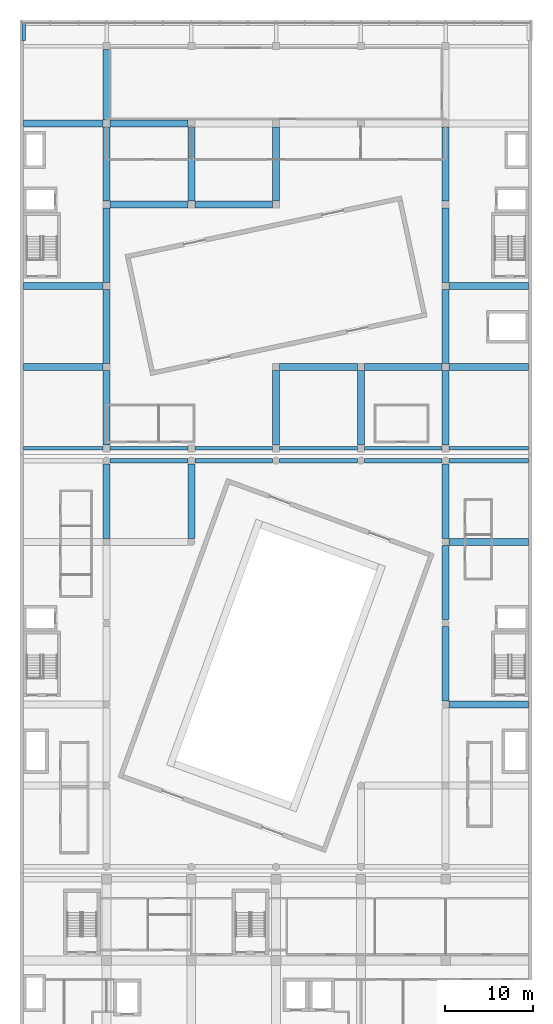
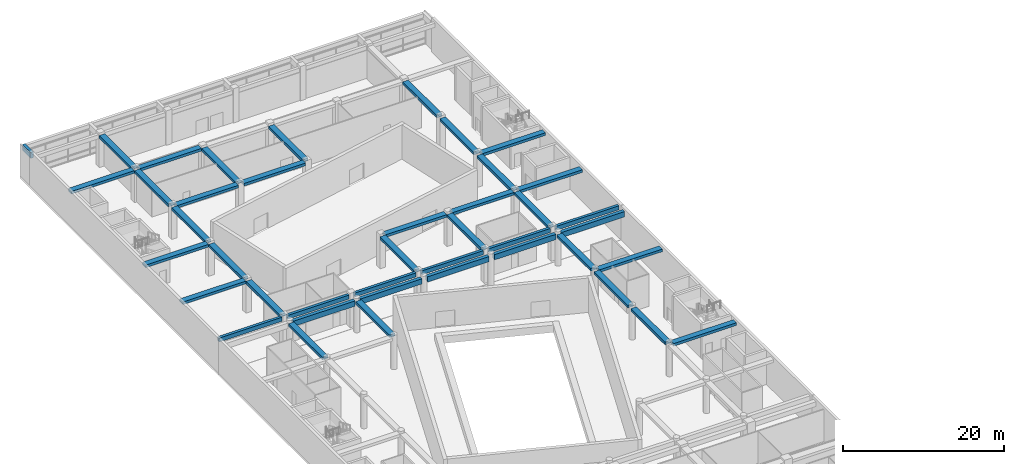
# One storey, part 2 of 31: 42 beams.
"""IFC4 building model written with IfcOpenShell, lengths in metres."""

from ifc_helpers import new_model, si_unit, direction, frame, origin, origin_2d, place, context, subcontext, project, spatial, rectangle, extrude, material, material_profile, profile_set, type_object, element, save


model = new_model("IFC4")

# Units and contexts
model_context = context("Model", 3, precision=1e-05, world=origin(), true_north=direction((0.0, 1.0)))
body_context = subcontext(model_context, "Body", "Model", "MODEL_VIEW")
ifc_project = project(units=[si_unit("LENGTHUNIT", "METRE"), si_unit("AREAUNIT", "SQUARE_METRE"), si_unit("VOLUMEUNIT", "CUBIC_METRE"), si_unit("PLANEANGLEUNIT", "RADIAN"), si_unit("MASSUNIT", "GRAM", prefix="KILO")], contexts=[model_context])

# Site, building, storey
site_placement = place(None, origin())
site = spatial("IfcSite", under=ifc_project, at=site_placement, CompositionType="ELEMENT")
building_placement = place(site_placement, origin())
building = spatial("IfcBuilding", under=site, at=building_placement, Name="Nzadi Deep Aquarium and Research Tower", CompositionType="ELEMENT")
storey_placement = place(building_placement, frame((0.0, 0.0, 26.699951171875)))
storey = spatial("IfcBuildingStorey", under=building, at=storey_placement, Name="L04", CompositionType="ELEMENT", Elevation=26.699951171875)

# Beams
ifc_material_1 = material(Name="Concrete C35/45", Category="concrete")
ifc_material_profile_1 = material_profile(ifc_material_1, rectangle(XDim=0.39990234375, YDim=0.60009765625, at=origin_2d()))
ifc_profile_set_1 = profile_set([ifc_material_profile_1], Name="Concrete C35/45")
beam_type_1 = type_object("IfcBeamType", Name="RC 400x600", PredefinedType="BEAM", material=ifc_profile_set_1)
beam_1_placement = place(storey_placement, frame((0.199951171875, 94.800048828125, 4.550048828125), z_axis=(1.0, 0.0, 0.0), x_axis=(0.0, 1.0, 0.0)))
element("IfcBeam", 1, at=beam_1_placement, inside=storey, type_object=beam_type_1, Name="B-Z3-L04-L13-1", PredefinedType="BEAM", context=body_context, shape_type="SweptSolid", body=[
    extrude(rectangle(XDim=0.39990234375, YDim=0.60009765625, at=origin_2d()), origin(), (0.0, 0.0, 1.0), 9.0),
])
beam_2_placement = place(storey_placement, frame((10.0, 94.800048828125, 4.550048828125), z_axis=(1.0, 0.0, 0.0), x_axis=(0.0, 1.0, 0.0)))
element("IfcBeam", 2, at=beam_2_placement, inside=storey, type_object=beam_type_1, Name="B-Z3-L04-L13-2", PredefinedType="BEAM", context=body_context, shape_type="SweptSolid", body=[
    extrude(rectangle(XDim=0.39990234375, YDim=0.60009765625, at=origin_2d()), origin(), (0.0, 0.0, 1.0), 8.800048828125),
])
beam_3_placement = place(storey_placement, frame((19.60009765625, 94.800048828125, 4.550048828125), z_axis=(1.0, 0.0, 0.0), x_axis=(0.0, 1.0, 0.0)))
element("IfcBeam", 3, at=beam_3_placement, inside=storey, type_object=beam_type_1, Name="B-Z3-L04-L13-3", PredefinedType="BEAM", context=body_context, shape_type="SweptSolid", body=[
    extrude(rectangle(XDim=0.39990234375, YDim=0.60009765625, at=origin_2d()), origin(), (0.0, 0.0, 1.0), 8.7998046875),
])
for number, where, z_axis, x_axis, name in (
    (4, (29.199951171875, 94.800048828125, 4.550048828125), (1.0, 0.0, 0.0), (0.0, 1.0, 0.0), "B-Z3-L04-L13-4"),
    (5, (38.800048828125, 94.800048828125, 4.550048828125), (1.0, 0.0, 0.0), (0.0, 1.0, 0.0), "B-Z3-L04-L13-5"),
):
    element("IfcBeam", number, at=place(storey_placement, frame(where, z_axis=z_axis, x_axis=x_axis)), inside=storey, type_object=beam_type_1, Name=name, PredefinedType="BEAM", context=body_context, shape_type="SweptSolid", body=[
        extrude(rectangle(XDim=0.39990234375, YDim=0.60009765625, at=origin_2d()), origin(), (0.0, 0.0, 1.0), 8.800048828125),
    ])
beam_4_placement = place(storey_placement, frame((48.39990234375, 94.800048828125, 4.550048828125), z_axis=(1.0, 0.0, 0.0), x_axis=(0.0, 1.0, 0.0)))
element("IfcBeam", 6, at=beam_4_placement, inside=storey, type_object=beam_type_1, Name="B-Z3-L04-L13-6", PredefinedType="BEAM", context=body_context, shape_type="SweptSolid", body=[
    extrude(rectangle(XDim=0.39990234375, YDim=0.60009765625, at=origin_2d()), origin(), (0.0, 0.0, 1.0), 9.0),
])
ifc_material_2 = material(Name="Concrete C35/45", Category="concrete")
ifc_material_profile_2 = material_profile(ifc_material_2, rectangle(XDim=0.39990234375, YDim=0.89990234375, at=origin_2d()))
ifc_profile_set_2 = profile_set([ifc_material_profile_2], Name="Concrete C35/45")
beam_type_2 = type_object("IfcBeamType", Name="RC 400x900", PredefinedType="BEAM", material=ifc_profile_set_2)
beam_5_placement = place(storey_placement, frame((0.199951171875, 141.0, 4.400146484375), z_axis=(0.0, 1.0, 0.0), x_axis=(-1.0, 0.0, 0.0)))
element("IfcBeam", 7, at=beam_5_placement, inside=storey, type_object=beam_type_2, Name="B-Z3-L05-CB1", PredefinedType="BEAM", context=body_context, shape_type="SweptSolid", body=[
    extrude(rectangle(XDim=0.39990234375, YDim=0.89990234375, at=origin_2d()), origin(), (0.0, 0.0, 1.0), 2.050048828125),
])
ifc_material_3 = material(Name="Concrete C40/50", Category="concrete")
ifc_material_profile_3 = material_profile(ifc_material_3, rectangle(XDim=0.5, YDim=0.800048828125, at=origin_2d()))
ifc_profile_set_3 = profile_set([ifc_material_profile_3], Name="Concrete C40/50")
beam_type_3 = type_object("IfcBeamType", Name="RC 500x800", PredefinedType="BEAM", material=ifc_profile_set_3)
beam_6_placement = place(storey_placement, frame((10.0, 93.39990234375, 4.449951171875), z_axis=(1.0, 0.0, 0.0), x_axis=(0.0, 1.0, 0.0)))
element("IfcBeam", 8, at=beam_6_placement, inside=storey, type_object=beam_type_3, Name="B-Z2-L04-L12-2", PredefinedType="BEAM", context=body_context, shape_type="SweptSolid", body=[
    extrude(rectangle(XDim=0.5, YDim=0.800048828125, at=origin_2d()), origin(), (0.0, 0.0, 1.0), 8.800048828125),
])
beam_7_placement = place(storey_placement, frame((19.60009765625, 93.39990234375, 4.449951171875), z_axis=(1.0, 0.0, 0.0), x_axis=(0.0, 1.0, 0.0)))
element("IfcBeam", 9, at=beam_7_placement, inside=storey, type_object=beam_type_3, Name="B-Z2-L04-L12-3", PredefinedType="BEAM", context=body_context, shape_type="SweptSolid", body=[
    extrude(rectangle(XDim=0.5, YDim=0.800048828125, at=origin_2d()), origin(), (0.0, 0.0, 1.0), 8.7998046875),
])
for number, where, z_axis, x_axis, name in (
    (10, (29.199951171875, 93.39990234375, 4.449951171875), (1.0, 0.0, 0.0), (0.0, 1.0, 0.0), "B-Z2-L04-L12-4"),
    (11, (38.800048828125, 93.39990234375, 4.449951171875), (1.0, 0.0, 0.0), (0.0, 1.0, 0.0), "B-Z2-L04-L12-5"),
):
    element("IfcBeam", number, at=place(storey_placement, frame(where, z_axis=z_axis, x_axis=x_axis)), inside=storey, type_object=beam_type_3, Name=name, PredefinedType="BEAM", context=body_context, shape_type="SweptSolid", body=[
        extrude(rectangle(XDim=0.5, YDim=0.800048828125, at=origin_2d()), origin(), (0.0, 0.0, 1.0), 8.800048828125),
    ])
beam_8_placement = place(storey_placement, frame((48.39990234375, 93.39990234375, 4.449951171875), z_axis=(1.0, 0.0, 0.0), x_axis=(0.0, 1.0, 0.0)))
element("IfcBeam", 12, at=beam_8_placement, inside=storey, type_object=beam_type_3, Name="B-Z2-L04-L12-6", PredefinedType="BEAM", context=body_context, shape_type="SweptSolid", body=[
    extrude(rectangle(XDim=0.5, YDim=0.800048828125, at=origin_2d()), origin(), (0.0, 0.0, 1.0), 9.0),
])
ifc_material_4 = material(Name="Concrete C35/45", Category="concrete")
ifc_material_profile_4 = material_profile(ifc_material_4, rectangle(XDim=0.800048828125, YDim=0.39990234375, at=origin_2d()))
ifc_profile_set_4 = profile_set([ifc_material_profile_4], Name="Concrete C35/45")
beam_type_4 = type_object("IfcBeamType", Name="RC 800x400", PredefinedType="BEAM", material=ifc_profile_set_4)
for number, where, z_axis, x_axis, name in (
    (13, (48.39990234375, 65.800048828125, 4.650146484375), (1.0, 0.0, 0.0), (0.0, 1.0, 0.0), "B-Z2-L04-L9-6"),
    (14, (48.39990234375, 84.199951171875, 4.650146484375), (1.0, 0.0, 0.0), (0.0, 1.0, 0.0), "B-Z2-L04-L11-6"),
    (15, (0.199951171875, 104.0, 4.650146484375), (1.0, 0.0, 0.0), (0.0, 1.0, 0.0), "B-Z3-L04-L14-1"),
):
    element("IfcBeam", number, at=place(storey_placement, frame(where, z_axis=z_axis, x_axis=x_axis)), inside=storey, type_object=beam_type_4, Name=name, PredefinedType="BEAM", context=body_context, shape_type="SweptSolid", body=[
        extrude(rectangle(XDim=0.800048828125, YDim=0.39990234375, at=origin_2d()), origin(), (0.0, 0.0, 1.0), 9.0),
    ])
for number, where, z_axis, x_axis, name in (
    (16, (29.199951171875, 104.0, 4.650146484375), (1.0, 0.0, 0.0), (0.0, 1.0, 0.0), "B-Z3-L04-L14-4"),
    (17, (38.800048828125, 104.0, 4.650146484375), (1.0, 0.0, 0.0), (0.0, 1.0, 0.0), "B-Z3-L04-L14-5"),
):
    element("IfcBeam", number, at=place(storey_placement, frame(where, z_axis=z_axis, x_axis=x_axis)), inside=storey, type_object=beam_type_4, Name=name, PredefinedType="BEAM", context=body_context, shape_type="SweptSolid", body=[
        extrude(rectangle(XDim=0.800048828125, YDim=0.39990234375, at=origin_2d()), origin(), (0.0, 0.0, 1.0), 8.800048828125),
    ])
for number, where, z_axis, x_axis, name in (
    (18, (48.39990234375, 104.0, 4.650146484375), (1.0, 0.0, 0.0), (0.0, 1.0, 0.0), "B-Z3-L04-L14-6"),
    (19, (0.199951171875, 113.199951171875, 4.650146484375), (1.0, 0.0, 0.0), (0.0, 1.0, 0.0), "B-Z3-L04-L15-1"),
    (20, (48.39990234375, 113.199951171875, 4.650146484375), (1.0, 0.0, 0.0), (0.0, 1.0, 0.0), "B-Z3-L04-L15-6"),
):
    element("IfcBeam", number, at=place(storey_placement, frame(where, z_axis=z_axis, x_axis=x_axis)), inside=storey, type_object=beam_type_4, Name=name, PredefinedType="BEAM", context=body_context, shape_type="SweptSolid", body=[
        extrude(rectangle(XDim=0.800048828125, YDim=0.39990234375, at=origin_2d()), origin(), (0.0, 0.0, 1.0), 9.0),
    ])
beam_9_placement = place(storey_placement, frame((10.0, 122.39990234375, 4.650146484375), z_axis=(1.0, 0.0, 0.0), x_axis=(0.0, 1.0, 0.0)))
element("IfcBeam", 21, at=beam_9_placement, inside=storey, type_object=beam_type_4, Name="B-Z3-L04-L16-2", PredefinedType="BEAM", context=body_context, shape_type="SweptSolid", body=[
    extrude(rectangle(XDim=0.800048828125, YDim=0.39990234375, at=origin_2d()), origin(), (0.0, 0.0, 1.0), 8.800048828125),
])
beam_10_placement = place(storey_placement, frame((19.60009765625, 122.39990234375, 4.650146484375), z_axis=(1.0, 0.0, 0.0), x_axis=(0.0, 1.0, 0.0)))
element("IfcBeam", 22, at=beam_10_placement, inside=storey, type_object=beam_type_4, Name="B-Z3-L04-L16-3", PredefinedType="BEAM", context=body_context, shape_type="SweptSolid", body=[
    extrude(rectangle(XDim=0.800048828125, YDim=0.39990234375, at=origin_2d()), origin(), (0.0, 0.0, 1.0), 8.7998046875),
])
beam_11_placement = place(storey_placement, frame((0.199951171875, 131.60009765625, 4.650146484375), z_axis=(1.0, 0.0, 0.0), x_axis=(0.0, 1.0, 0.0)))
element("IfcBeam", 23, at=beam_11_placement, inside=storey, type_object=beam_type_4, Name="B-Z3-L04-L17-1", PredefinedType="BEAM", context=body_context, shape_type="SweptSolid", body=[
    extrude(rectangle(XDim=0.800048828125, YDim=0.39990234375, at=origin_2d()), origin(), (0.0, 0.0, 1.0), 9.0),
])
beam_12_placement = place(storey_placement, frame((10.0, 131.60009765625, 4.650146484375), z_axis=(1.0, 0.0, 0.0), x_axis=(0.0, 1.0, 0.0)))
element("IfcBeam", 24, at=beam_12_placement, inside=storey, type_object=beam_type_4, Name="B-Z3-L04-L17-2", PredefinedType="BEAM", context=body_context, shape_type="SweptSolid", body=[
    extrude(rectangle(XDim=0.800048828125, YDim=0.39990234375, at=origin_2d()), origin(), (0.0, 0.0, 1.0), 8.800048828125),
])
for number, where, z_axis, x_axis, name in (
    (25, (9.60009765625, 84.60009765625, 4.650146484375), (0.0, 1.0, 0.0), (-1.0, 0.0, 0.0), "B-Z2-L04-CB-5-7"),
    (26, (19.199951171875, 84.60009765625, 4.650146484375), (0.0, 1.0, 0.0), (-1.0, 0.0, 0.0), "B-Z2-L04-CC-5-7"),
):
    element("IfcBeam", number, at=place(storey_placement, frame(where, z_axis=z_axis, x_axis=x_axis)), inside=storey, type_object=beam_type_4, Name=name, PredefinedType="BEAM", context=body_context, shape_type="SweptSolid", body=[
        extrude(rectangle(XDim=0.800048828125, YDim=0.39990234375, at=origin_2d()), origin(), (0.0, 0.0, 1.0), 8.39990234375),
    ])
for number, where, z_axis, x_axis, name in (
    (27, (48.0, 66.199951171875, 4.650146484375), (0.0, 1.0, 0.0), (-1.0, 0.0, 0.0), "B-Z2-L04-CF-3-7"),
    (28, (48.0, 75.39990234375, 4.650146484375), (0.0, 1.0, 0.0), (-1.0, 0.0, 0.0), "B-Z2-L04-CF-4-7"),
):
    element("IfcBeam", number, at=place(storey_placement, frame(where, z_axis=z_axis, x_axis=x_axis)), inside=storey, type_object=beam_type_4, Name=name, PredefinedType="BEAM", context=body_context, shape_type="SweptSolid", body=[
        extrude(rectangle(XDim=0.800048828125, YDim=0.39990234375, at=origin_2d()), origin(), (0.0, 0.0, 1.0), 8.400146484375),
    ])
beam_13_placement = place(storey_placement, frame((48.0, 84.60009765625, 4.650146484375), z_axis=(0.0, 1.0, 0.0), x_axis=(-1.0, 0.0, 0.0)))
element("IfcBeam", 29, at=beam_13_placement, inside=storey, type_object=beam_type_4, Name="B-Z2-L04-CF-5-7", PredefinedType="BEAM", context=body_context, shape_type="SweptSolid", body=[
    extrude(rectangle(XDim=0.800048828125, YDim=0.39990234375, at=origin_2d()), origin(), (0.0, 0.0, 1.0), 8.39990234375),
])
for number, where, z_axis, x_axis, name in (
    (30, (9.60009765625, 95.199951171875, 4.650146484375), (0.0, 1.0, 0.0), (-1.0, 0.0, 0.0), "B-Z3-L04-CB-1-13"),
    (31, (9.60009765625, 104.39990234375, 4.650146484375), (0.0, 1.0, 0.0), (-1.0, 0.0, 0.0), "B-Z3-L04-CB-2-13"),
):
    element("IfcBeam", number, at=place(storey_placement, frame(where, z_axis=z_axis, x_axis=x_axis)), inside=storey, type_object=beam_type_4, Name=name, PredefinedType="BEAM", context=body_context, shape_type="SweptSolid", body=[
        extrude(rectangle(XDim=0.800048828125, YDim=0.39990234375, at=origin_2d()), origin(), (0.0, 0.0, 1.0), 8.400146484375),
    ])
for number, where, z_axis, x_axis, name in (
    (32, (9.60009765625, 113.60009765625, 4.650146484375), (0.0, 1.0, 0.0), (-1.0, 0.0, 0.0), "B-Z3-L04-CB-3-13"),
    (33, (9.60009765625, 122.800048828125, 4.650146484375), (0.0, 1.0, 0.0), (-1.0, 0.0, 0.0), "B-Z3-L04-CB-4-13"),
):
    element("IfcBeam", number, at=place(storey_placement, frame(where, z_axis=z_axis, x_axis=x_axis)), inside=storey, type_object=beam_type_4, Name=name, PredefinedType="BEAM", context=body_context, shape_type="SweptSolid", body=[
        extrude(rectangle(XDim=0.800048828125, YDim=0.39990234375, at=origin_2d()), origin(), (0.0, 0.0, 1.0), 8.39990234375),
    ])
beam_14_placement = place(storey_placement, frame((9.60009765625, 132.0, 4.650146484375), z_axis=(0.0, 1.0, 0.0), x_axis=(-1.0, 0.0, 0.0)))
element("IfcBeam", 34, at=beam_14_placement, inside=storey, type_object=beam_type_4, Name="B-Z3-L04-CB-5-13", PredefinedType="BEAM", context=body_context, shape_type="SweptSolid", body=[
    extrude(rectangle(XDim=0.800048828125, YDim=0.39990234375, at=origin_2d()), origin(), (0.0, 0.0, 1.0), 7.949951171875),
])
beam_15_placement = place(storey_placement, frame((19.199951171875, 122.800048828125, 4.650146484375), z_axis=(0.0, 1.0, 0.0), x_axis=(-1.0, 0.0, 0.0)))
element("IfcBeam", 35, at=beam_15_placement, inside=storey, type_object=beam_type_4, Name="B-Z3-L04-CC-4-13", PredefinedType="BEAM", context=body_context, shape_type="SweptSolid", body=[
    extrude(rectangle(XDim=0.800048828125, YDim=0.39990234375, at=origin_2d()), origin(), (0.0, 0.0, 1.0), 8.39990234375),
])
beam_16_placement = place(storey_placement, frame((28.800048828125, 95.199951171875, 4.650146484375), z_axis=(0.0, 1.0, 0.0), x_axis=(-1.0, 0.0, 0.0)))
element("IfcBeam", 36, at=beam_16_placement, inside=storey, type_object=beam_type_4, Name="B-Z3-L04-CD-1-13", PredefinedType="BEAM", context=body_context, shape_type="SweptSolid", body=[
    extrude(rectangle(XDim=0.800048828125, YDim=0.39990234375, at=origin_2d()), origin(), (0.0, 0.0, 1.0), 8.400146484375),
])
beam_17_placement = place(storey_placement, frame((28.800048828125, 122.800048828125, 4.650146484375), z_axis=(0.0, 1.0, 0.0), x_axis=(-1.0, 0.0, 0.0)))
element("IfcBeam", 37, at=beam_17_placement, inside=storey, type_object=beam_type_4, Name="B-Z3-L04-CD-4-13", PredefinedType="BEAM", context=body_context, shape_type="SweptSolid", body=[
    extrude(rectangle(XDim=0.800048828125, YDim=0.39990234375, at=origin_2d()), origin(), (0.0, 0.0, 1.0), 8.39990234375),
])
for number, where, z_axis, x_axis, name in (
    (38, (38.39990234375, 95.199951171875, 4.650146484375), (0.0, 1.0, 0.0), (-1.0, 0.0, 0.0), "B-Z3-L04-CE-1-13"),
    (39, (48.0, 95.199951171875, 4.650146484375), (0.0, 1.0, 0.0), (-1.0, 0.0, 0.0), "B-Z3-L04-CF-1-13"),
    (40, (48.0, 104.39990234375, 4.650146484375), (0.0, 1.0, 0.0), (-1.0, 0.0, 0.0), "B-Z3-L04-CF-2-13"),
):
    element("IfcBeam", number, at=place(storey_placement, frame(where, z_axis=z_axis, x_axis=x_axis)), inside=storey, type_object=beam_type_4, Name=name, PredefinedType="BEAM", context=body_context, shape_type="SweptSolid", body=[
        extrude(rectangle(XDim=0.800048828125, YDim=0.39990234375, at=origin_2d()), origin(), (0.0, 0.0, 1.0), 8.400146484375),
    ])
for number, where, z_axis, x_axis, name in (
    (41, (48.0, 113.60009765625, 4.650146484375), (0.0, 1.0, 0.0), (-1.0, 0.0, 0.0), "B-Z3-L04-CF-3-13"),
    (42, (48.0, 122.800048828125, 4.650146484375), (0.0, 1.0, 0.0), (-1.0, 0.0, 0.0), "B-Z3-L04-CF-4-13"),
):
    element("IfcBeam", number, at=place(storey_placement, frame(where, z_axis=z_axis, x_axis=x_axis)), inside=storey, type_object=beam_type_4, Name=name, PredefinedType="BEAM", context=body_context, shape_type="SweptSolid", body=[
        extrude(rectangle(XDim=0.800048828125, YDim=0.39990234375, at=origin_2d()), origin(), (0.0, 0.0, 1.0), 8.39990234375),
    ])

save(model, "model.ifc")
